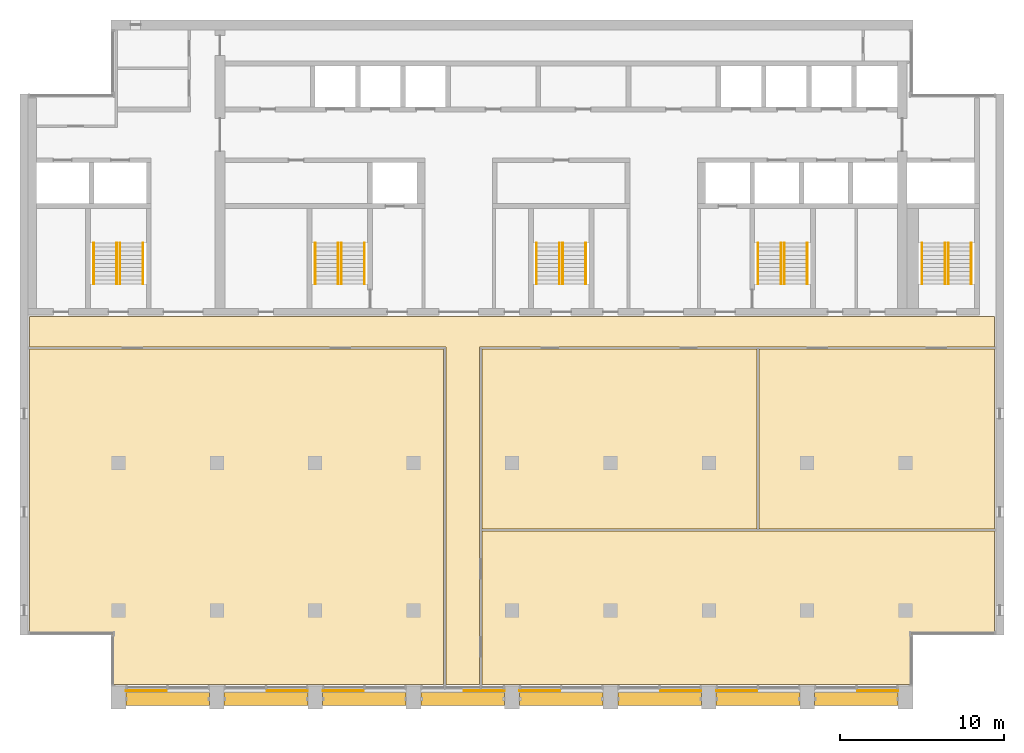
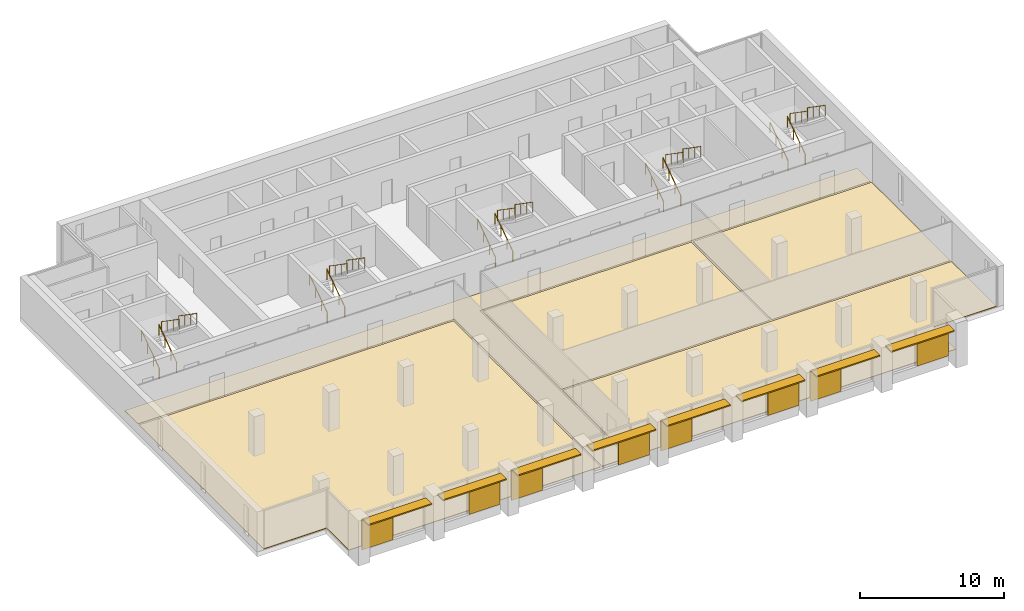
# One storey, part 14 of 14: 20 railings, 16 shading devices, 5 coverings, 5 elements without a shape of their own.
"""IFC4 building model written with IfcOpenShell, lengths in metres."""

from ifc_helpers import new_model, si_unit, direction, frame, origin, origin_2d, place, context, subcontext, project, spatial, polyline, rectangle, circle, outline, extrude, material, layer, layer_set, material_profile, profile_set, type_object, element, aggregate, save


model = new_model("IFC4")

# Units and contexts
model_context = context("Model", 3, precision=1e-05, world=origin(), true_north=direction((0.0, 1.0)))
body_context = subcontext(model_context, "Body", "Model", "MODEL_VIEW")
ifc_project = project(units=[si_unit("LENGTHUNIT", "METRE"), si_unit("AREAUNIT", "SQUARE_METRE"), si_unit("VOLUMEUNIT", "CUBIC_METRE"), si_unit("PLANEANGLEUNIT", "RADIAN"), si_unit("MASSUNIT", "GRAM", prefix="KILO")], contexts=[model_context])

# Site, building, storey
site_placement = place(None, origin())
site = spatial("IfcSite", under=ifc_project, at=site_placement, CompositionType="ELEMENT")
building_placement = place(site_placement, origin())
building = spatial("IfcBuilding", under=site, at=building_placement, Name="Calvaro Tower", CompositionType="ELEMENT")
storey_placement = place(building_placement, frame((0.0, 0.0, 246.949951171875)))
storey = spatial("IfcBuildingStorey", under=building, at=storey_placement, Name="L62", CompositionType="ELEMENT", Elevation=246.949951171875)

# Shading devices
ifc_material_1 = material(Name="Anodised aluminium", Category="aluminium")
ifc_material_profile = material_profile(ifc_material_1, rectangle(XDim=0.800048828125, YDim=0.10009765625, at=origin_2d()), Name="Brise-soleil blade 800 x 100")
ifc_profile_set = profile_set([ifc_material_profile], Name="Anodised aluminium")
shading_device_type_1 = type_object("IfcShadingDeviceType", Name="Brise-soleil blade 800 x 100", PredefinedType="JALOUSIE", material=ifc_profile_set)
for number, where, z_axis, x_axis, name in (
    (1, (12.449951171875, 4.60009765625, 2.650146484375), (1.0, 0.0, 0.0), (0.0, 1.0, 0.0), "Brise-soleil blade 1"),
    (2, (18.449951171875, 4.60009765625, 2.650146484375), (1.0, 0.0, 0.0), (0.0, 1.0, 0.0), "Brise-soleil blade 2"),
    (3, (24.449951171875, 4.60009765625, 2.650146484375), (1.0, 0.0, 0.0), (0.0, 1.0, 0.0), "Brise-soleil blade 3"),
    (4, (30.449951171875, 4.60009765625, 2.650146484375), (1.0, 0.0, 0.0), (0.0, 1.0, 0.0), "Brise-soleil blade 4"),
    (5, (36.449951171875, 4.60009765625, 2.650146484375), (1.0, 0.0, 0.0), (0.0, 1.0, 0.0), "Brise-soleil blade 5"),
    (6, (42.449951171875, 4.60009765625, 2.650146484375), (1.0, 0.0, 0.0), (0.0, 1.0, 0.0), "Brise-soleil blade 6"),
    (7, (48.449951171875, 4.60009765625, 2.650146484375), (1.0, 0.0, 0.0), (0.0, 1.0, 0.0), "Brise-soleil blade 7"),
    (8, (54.449951171875, 4.60009765625, 2.650146484375), (1.0, 0.0, 0.0), (0.0, 1.0, 0.0), "Brise-soleil blade 8"),
):
    element("IfcShadingDevice", number, at=place(storey_placement, frame(where, z_axis=z_axis, x_axis=x_axis)), inside=storey, type_object=shading_device_type_1, Name=name, PredefinedType="JALOUSIE", context=body_context, shape_type="SweptSolid", body=[
        extrude(rectangle(XDim=0.800048828125, YDim=0.10009765625, at=origin_2d()), origin(), (0.0, 0.0, 1.0), 5.10009765625),
    ])

# Coverings
ifc_material_2 = material(Name="Cement screed with carpet tile finish")
ifc_layer_1 = layer(ifc_material_2, 0.050048828125)
ifc_layer_set_1 = layer_set([ifc_layer_1], Name="Cement screed with carpet tile finish")
covering_type = type_object("IfcCoveringType", Name="Floor finish 50", PredefinedType="FLOORING", material=ifc_layer_set_1)
covering_1_placement = place(storey_placement, origin())
element("IfcCovering", 9, at=covering_1_placement, inside=storey, type_object=covering_type, Name="Floor finish 35.01", PredefinedType="FLOORING", context=body_context, shape_type="SweptSolid", body=[
    extrude(outline(polyline([(31.969970703125, 5.469970703125), (31.969970703125, 26.070068359375), (6.570068359375, 26.070068359375), (6.570068359375, 27.929931640625), (65.429931640625, 27.929931640625), (65.429931640625, 26.070068359375), (34.030029296875, 26.070068359375), (34.030029296875, 5.469970703125), (31.969970703125, 5.469970703125)])), origin(), (0.0, 0.0, 1.0), 0.050048828125),
])
covering_2_placement = place(storey_placement, origin())
element("IfcCovering", 10, at=covering_2_placement, inside=storey, type_object=covering_type, Name="Floor finish 35.03", PredefinedType="FLOORING", context=body_context, shape_type="SweptSolid", body=[
    extrude(outline(polyline([(31.830078125, 25.929931640625), (31.830078125, 5.469970703125), (11.6201171875, 5.469970703125), (11.6201171875, 8.570068359375), (6.570068359375, 8.570068359375), (6.570068359375, 25.929931640625), (31.830078125, 25.929931640625)])), origin(), (0.0, 0.0, 1.0), 0.050048828125),
])
covering_3_placement = place(storey_placement, origin())
element("IfcCovering", 11, at=covering_3_placement, inside=storey, type_object=covering_type, Name="Floor finish 35.02", PredefinedType="FLOORING", context=body_context, shape_type="SweptSolid", body=[
    extrude(outline(polyline([(65.429931640625, 8.570068359375), (60.3798828125, 8.570068359375), (60.3798828125, 5.469970703125), (34.169921875, 5.469970703125), (34.169921875, 14.830078125), (65.429931640625, 14.830078125), (65.429931640625, 8.570068359375)])), origin(), (0.0, 0.0, 1.0), 0.050048828125),
])
covering_4_placement = place(storey_placement, origin())
element("IfcCovering", 12, at=covering_4_placement, inside=storey, type_object=covering_type, Name="Floor finish 35.05", PredefinedType="FLOORING", context=body_context, shape_type="SweptSolid", body=[
    extrude(outline(polyline([(34.169921875, 14.969970703125), (34.169921875, 25.929931640625), (50.929931640625, 25.929931640625), (50.929931640625, 14.969970703125), (34.169921875, 14.969970703125)])), origin(), (0.0, 0.0, 1.0), 0.050048828125),
])
covering_5_placement = place(storey_placement, origin())
element("IfcCovering", 13, at=covering_5_placement, inside=storey, type_object=covering_type, Name="Floor finish 35.04", PredefinedType="FLOORING", context=body_context, shape_type="SweptSolid", body=[
    extrude(outline(polyline([(65.429931640625, 14.969970703125), (51.070068359375, 14.969970703125), (51.070068359375, 25.929931640625), (65.429931640625, 25.929931640625), (65.429931640625, 14.969970703125)])), origin(), (0.0, 0.0, 1.0), 0.050048828125),
])

# Shading devices
ifc_material_3 = material(Name="Ceramic")
ifc_layer_2 = layer(ifc_material_3, 0.0400390625)
ifc_layer_set_2 = layer_set([ifc_layer_2], Name="Ceramic")
shading_device_type_2 = type_object("IfcShadingDeviceType", Name="Sliding ceramic screen 2500", PredefinedType="SHUTTER", material=ifc_layer_set_2)
for number, where, z_axis, x_axis, name in (
    (14, (13.699951171875, 5.10009765625, 0.0), (0.0, 0.0, 1.0), (1.0, 0.0, 0.0), "Sliding screen 1"),
    (15, (22.300048828125, 5.10009765625, 0.0), (0.0, 0.0, 1.0), (1.0, 0.0, 0.0), "Sliding screen 2"),
    (16, (25.699951171875, 5.10009765625, 0.0), (0.0, 0.0, 1.0), (1.0, 0.0, 0.0), "Sliding screen 3"),
    (17, (34.300048828125, 5.10009765625, 0.0), (0.0, 0.0, 1.0), (1.0, 0.0, 0.0), "Sliding screen 4"),
    (18, (37.699951171875, 5.10009765625, 0.0), (0.0, 0.0, 1.0), (1.0, 0.0, 0.0), "Sliding screen 5"),
    (19, (46.300048828125, 5.10009765625, 0.0), (0.0, 0.0, 1.0), (1.0, 0.0, 0.0), "Sliding screen 6"),
    (20, (49.699951171875, 5.10009765625, 0.0), (0.0, 0.0, 1.0), (1.0, 0.0, 0.0), "Sliding screen 7"),
    (21, (58.300048828125, 5.10009765625, 0.0), (0.0, 0.0, 1.0), (1.0, 0.0, 0.0), "Sliding screen 8"),
):
    element("IfcShadingDevice", number, at=place(storey_placement, frame(where, z_axis=z_axis, x_axis=x_axis)), inside=storey, type_object=shading_device_type_2, Name=name, PredefinedType="SHUTTER", context=body_context, shape_type="SweptSolid", body=[
        extrude(rectangle(XDim=2.5, YDim=0.0400390625, at=origin_2d()), origin(), (0.0, 0.0, 1.0), 2.60009765625),
    ])

# Stair, railings
ifc_material_4 = material(Name="Concrete C40/50", Category="concrete")
stair_type = type_object("IfcStairType", Name="Exit stair 1400 2 flights", PredefinedType="HALF_TURN_STAIR", material=ifc_material_4)
stair_1_placement = place(storey_placement, origin())
stair_1 = element("IfcStair", 22, at=stair_1_placement, inside=storey, type_object=stair_type, Name="Exit stair S1", PredefinedType="HALF_TURN_STAIR")
ifc_material_5 = material(Name="Stainless steel", Category="steel")
railing_type = type_object("IfcRailingType", Name="Stair handrail", PredefinedType="HANDRAIL", material=ifc_material_5)
railing_1_placement = place(storey_placement, frame((11.89990234375, 29.89990234375, 0.1728515625)))
railing_1 = element("IfcRailing", 23, at=railing_1_placement, type_object=railing_type, Name="Exit stair 1 handrail", PredefinedType="HANDRAIL", context=body_context, shape_type="SweptSolid", body=[
    extrude(circle(Radius=0.02392578125, at=origin_2d()), frame((0.0, 0.0, 0.8759765625), z_axis=(0.0, 0.822726922227, 0.568436813941), x_axis=(-1.0, 0.0, 0.0)), (0.0, 0.0, 1.0), 3.03857421875),
    extrude(circle(Radius=0.02099609375, at=origin_2d()), frame((0.0, 0.017333984375, 0.011962890625)), (0.0, 0.0, 1.0), 0.851806640625),
    extrude(circle(Radius=0.02099609375, at=origin_2d()), frame((0.0, 0.833251953125, 0.57568359375)), (0.0, 0.0, 1.0), 0.851806640625),
    extrude(circle(Radius=0.02099609375, at=origin_2d()), frame((0.0, 1.666748046875, 1.151611328125)), (0.0, 0.0, 1.0), 0.851806640625),
    extrude(circle(Radius=0.02099609375, at=origin_2d()), frame((0.0, 2.482666015625, 1.71533203125)), (0.0, 0.0, 1.0), 0.851806640625),
])
railing_2_placement = place(storey_placement, frame((10.5, 29.89990234375, 0.1728515625)))
railing_2 = element("IfcRailing", 24, at=railing_2_placement, type_object=railing_type, Name="Exit stair 1 handrail", PredefinedType="HANDRAIL", context=body_context, shape_type="SweptSolid", body=[
    extrude(circle(Radius=0.02392578125, at=origin_2d()), frame((0.0, 0.0, 0.8759765625), z_axis=(0.0, 0.822726922227, 0.568436813941), x_axis=(-1.0, 0.0, 0.0)), (0.0, 0.0, 1.0), 3.03857421875),
    extrude(circle(Radius=0.02099609375, at=origin_2d()), frame((0.0, 0.017333984375, 0.011962890625)), (0.0, 0.0, 1.0), 0.851806640625),
    extrude(circle(Radius=0.02099609375, at=origin_2d()), frame((0.0, 0.833251953125, 0.57568359375)), (0.0, 0.0, 1.0), 0.851806640625),
    extrude(circle(Radius=0.02099609375, at=origin_2d()), frame((0.0, 1.666748046875, 1.151611328125)), (0.0, 0.0, 1.0), 0.851806640625),
    extrude(circle(Radius=0.02099609375, at=origin_2d()), frame((0.0, 2.482666015625, 1.71533203125)), (0.0, 0.0, 1.0), 0.851806640625),
])
railing_3_placement = place(storey_placement, frame((12.10009765625, 32.39990234375, 2.07275390625)))
railing_3 = element("IfcRailing", 25, at=railing_3_placement, type_object=railing_type, Name="Exit stair 1 handrail", PredefinedType="HANDRAIL", context=body_context, shape_type="SweptSolid", body=[
    extrude(circle(Radius=0.02392578125, at=origin_2d()), frame((0.0, 0.0, 0.8759765625), z_axis=(0.0, -0.822726922227, 0.568436813941), x_axis=(1.0, 0.0, 0.0)), (0.0, 0.0, 1.0), 3.03857421875),
    extrude(circle(Radius=0.02099609375, at=origin_2d()), frame((0.0, -0.017333984375, 0.011962890625)), (0.0, 0.0, 1.0), 0.851806640625),
    extrude(circle(Radius=0.02099609375, at=origin_2d()), frame((0.0, -0.833251953125, 0.57568359375)), (0.0, 0.0, 1.0), 0.851806640625),
    extrude(circle(Radius=0.02099609375, at=origin_2d()), frame((0.0, -1.666748046875, 1.151611328125)), (0.0, 0.0, 1.0), 0.851806640625),
    extrude(circle(Radius=0.02099609375, at=origin_2d()), frame((0.0, -2.482666015625, 1.71533203125)), (0.0, 0.0, 1.0), 0.851806640625),
])
railing_4_placement = place(storey_placement, frame((13.5, 32.39990234375, 2.07275390625)))
railing_4 = element("IfcRailing", 26, at=railing_4_placement, type_object=railing_type, Name="Exit stair 1 handrail", PredefinedType="HANDRAIL", context=body_context, shape_type="SweptSolid", body=[
    extrude(circle(Radius=0.02392578125, at=origin_2d()), frame((0.0, 0.0, 0.8759765625), z_axis=(0.0, -0.822726922227, 0.568436813941), x_axis=(1.0, 0.0, 0.0)), (0.0, 0.0, 1.0), 3.03857421875),
    extrude(circle(Radius=0.02099609375, at=origin_2d()), frame((0.0, -0.017333984375, 0.011962890625)), (0.0, 0.0, 1.0), 0.851806640625),
    extrude(circle(Radius=0.02099609375, at=origin_2d()), frame((0.0, -0.833251953125, 0.57568359375)), (0.0, 0.0, 1.0), 0.851806640625),
    extrude(circle(Radius=0.02099609375, at=origin_2d()), frame((0.0, -1.666748046875, 1.151611328125)), (0.0, 0.0, 1.0), 0.851806640625),
    extrude(circle(Radius=0.02099609375, at=origin_2d()), frame((0.0, -2.482666015625, 1.71533203125)), (0.0, 0.0, 1.0), 0.851806640625),
])
aggregate(stair_1, [railing_1, railing_2, railing_3, railing_4])

stair_2_placement = place(storey_placement, origin())
stair_2 = element("IfcStair", 27, at=stair_2_placement, inside=storey, type_object=stair_type, Name="Exit stair S2", PredefinedType="HALF_TURN_STAIR")
railing_5_placement = place(storey_placement, frame((25.39990234375, 29.89990234375, 0.1728515625)))
railing_5 = element("IfcRailing", 28, at=railing_5_placement, type_object=railing_type, Name="Exit stair 2 handrail", PredefinedType="HANDRAIL", context=body_context, shape_type="SweptSolid", body=[
    extrude(circle(Radius=0.02392578125, at=origin_2d()), frame((0.0, 0.0, 0.8759765625), z_axis=(0.0, 0.822726922227, 0.568436813941), x_axis=(-1.0, 0.0, 0.0)), (0.0, 0.0, 1.0), 3.03857421875),
    extrude(circle(Radius=0.02099609375, at=origin_2d()), frame((0.0, 0.017333984375, 0.011962890625)), (0.0, 0.0, 1.0), 0.851806640625),
    extrude(circle(Radius=0.02099609375, at=origin_2d()), frame((0.0, 0.833251953125, 0.57568359375)), (0.0, 0.0, 1.0), 0.851806640625),
    extrude(circle(Radius=0.02099609375, at=origin_2d()), frame((0.0, 1.666748046875, 1.151611328125)), (0.0, 0.0, 1.0), 0.851806640625),
    extrude(circle(Radius=0.02099609375, at=origin_2d()), frame((0.0, 2.482666015625, 1.71533203125)), (0.0, 0.0, 1.0), 0.851806640625),
])
railing_6_placement = place(storey_placement, frame((24.0, 29.89990234375, 0.1728515625)))
railing_6 = element("IfcRailing", 29, at=railing_6_placement, type_object=railing_type, Name="Exit stair 2 handrail", PredefinedType="HANDRAIL", context=body_context, shape_type="SweptSolid", body=[
    extrude(circle(Radius=0.02392578125, at=origin_2d()), frame((0.0, 0.0, 0.8759765625), z_axis=(0.0, 0.822726922227, 0.568436813941), x_axis=(-1.0, 0.0, 0.0)), (0.0, 0.0, 1.0), 3.03857421875),
    extrude(circle(Radius=0.02099609375, at=origin_2d()), frame((0.0, 0.017333984375, 0.011962890625)), (0.0, 0.0, 1.0), 0.851806640625),
    extrude(circle(Radius=0.02099609375, at=origin_2d()), frame((0.0, 0.833251953125, 0.57568359375)), (0.0, 0.0, 1.0), 0.851806640625),
    extrude(circle(Radius=0.02099609375, at=origin_2d()), frame((0.0, 1.666748046875, 1.151611328125)), (0.0, 0.0, 1.0), 0.851806640625),
    extrude(circle(Radius=0.02099609375, at=origin_2d()), frame((0.0, 2.482666015625, 1.71533203125)), (0.0, 0.0, 1.0), 0.851806640625),
])
railing_7_placement = place(storey_placement, frame((25.60009765625, 32.39990234375, 2.07275390625)))
railing_7 = element("IfcRailing", 30, at=railing_7_placement, type_object=railing_type, Name="Exit stair 2 handrail", PredefinedType="HANDRAIL", context=body_context, shape_type="SweptSolid", body=[
    extrude(circle(Radius=0.02392578125, at=origin_2d()), frame((0.0, 0.0, 0.8759765625), z_axis=(0.0, -0.822726922227, 0.568436813941), x_axis=(1.0, 0.0, 0.0)), (0.0, 0.0, 1.0), 3.03857421875),
    extrude(circle(Radius=0.02099609375, at=origin_2d()), frame((0.0, -0.017333984375, 0.011962890625)), (0.0, 0.0, 1.0), 0.851806640625),
    extrude(circle(Radius=0.02099609375, at=origin_2d()), frame((0.0, -0.833251953125, 0.57568359375)), (0.0, 0.0, 1.0), 0.851806640625),
    extrude(circle(Radius=0.02099609375, at=origin_2d()), frame((0.0, -1.666748046875, 1.151611328125)), (0.0, 0.0, 1.0), 0.851806640625),
    extrude(circle(Radius=0.02099609375, at=origin_2d()), frame((0.0, -2.482666015625, 1.71533203125)), (0.0, 0.0, 1.0), 0.851806640625),
])
railing_8_placement = place(storey_placement, frame((27.0, 32.39990234375, 2.07275390625)))
railing_8 = element("IfcRailing", 31, at=railing_8_placement, type_object=railing_type, Name="Exit stair 2 handrail", PredefinedType="HANDRAIL", context=body_context, shape_type="SweptSolid", body=[
    extrude(circle(Radius=0.02392578125, at=origin_2d()), frame((0.0, 0.0, 0.8759765625), z_axis=(0.0, -0.822726922227, 0.568436813941), x_axis=(1.0, 0.0, 0.0)), (0.0, 0.0, 1.0), 3.03857421875),
    extrude(circle(Radius=0.02099609375, at=origin_2d()), frame((0.0, -0.017333984375, 0.011962890625)), (0.0, 0.0, 1.0), 0.851806640625),
    extrude(circle(Radius=0.02099609375, at=origin_2d()), frame((0.0, -0.833251953125, 0.57568359375)), (0.0, 0.0, 1.0), 0.851806640625),
    extrude(circle(Radius=0.02099609375, at=origin_2d()), frame((0.0, -1.666748046875, 1.151611328125)), (0.0, 0.0, 1.0), 0.851806640625),
    extrude(circle(Radius=0.02099609375, at=origin_2d()), frame((0.0, -2.482666015625, 1.71533203125)), (0.0, 0.0, 1.0), 0.851806640625),
])
aggregate(stair_2, [railing_5, railing_6, railing_7, railing_8])

stair_3_placement = place(storey_placement, origin())
stair_3 = element("IfcStair", 32, at=stair_3_placement, inside=storey, type_object=stair_type, Name="Exit stair S3", PredefinedType="HALF_TURN_STAIR")
railing_9_placement = place(storey_placement, frame((38.89990234375, 29.89990234375, 0.1728515625)))
railing_9 = element("IfcRailing", 33, at=railing_9_placement, type_object=railing_type, Name="Exit stair 3 handrail", PredefinedType="HANDRAIL", context=body_context, shape_type="SweptSolid", body=[
    extrude(circle(Radius=0.02392578125, at=origin_2d()), frame((0.0, 0.0, 0.8759765625), z_axis=(0.0, 0.822726922227, 0.568436813941), x_axis=(-1.0, 0.0, 0.0)), (0.0, 0.0, 1.0), 3.03857421875),
    extrude(circle(Radius=0.02099609375, at=origin_2d()), frame((0.0, 0.017333984375, 0.011962890625)), (0.0, 0.0, 1.0), 0.851806640625),
    extrude(circle(Radius=0.02099609375, at=origin_2d()), frame((0.0, 0.833251953125, 0.57568359375)), (0.0, 0.0, 1.0), 0.851806640625),
    extrude(circle(Radius=0.02099609375, at=origin_2d()), frame((0.0, 1.666748046875, 1.151611328125)), (0.0, 0.0, 1.0), 0.851806640625),
    extrude(circle(Radius=0.02099609375, at=origin_2d()), frame((0.0, 2.482666015625, 1.71533203125)), (0.0, 0.0, 1.0), 0.851806640625),
])
railing_10_placement = place(storey_placement, frame((37.5, 29.89990234375, 0.1728515625)))
railing_10 = element("IfcRailing", 34, at=railing_10_placement, type_object=railing_type, Name="Exit stair 3 handrail", PredefinedType="HANDRAIL", context=body_context, shape_type="SweptSolid", body=[
    extrude(circle(Radius=0.02392578125, at=origin_2d()), frame((0.0, 0.0, 0.8759765625), z_axis=(0.0, 0.822726922227, 0.568436813941), x_axis=(-1.0, 0.0, 0.0)), (0.0, 0.0, 1.0), 3.03857421875),
    extrude(circle(Radius=0.02099609375, at=origin_2d()), frame((0.0, 0.017333984375, 0.011962890625)), (0.0, 0.0, 1.0), 0.851806640625),
    extrude(circle(Radius=0.02099609375, at=origin_2d()), frame((0.0, 0.833251953125, 0.57568359375)), (0.0, 0.0, 1.0), 0.851806640625),
    extrude(circle(Radius=0.02099609375, at=origin_2d()), frame((0.0, 1.666748046875, 1.151611328125)), (0.0, 0.0, 1.0), 0.851806640625),
    extrude(circle(Radius=0.02099609375, at=origin_2d()), frame((0.0, 2.482666015625, 1.71533203125)), (0.0, 0.0, 1.0), 0.851806640625),
])
railing_11_placement = place(storey_placement, frame((39.10009765625, 32.39990234375, 2.07275390625)))
railing_11 = element("IfcRailing", 35, at=railing_11_placement, type_object=railing_type, Name="Exit stair 3 handrail", PredefinedType="HANDRAIL", context=body_context, shape_type="SweptSolid", body=[
    extrude(circle(Radius=0.02392578125, at=origin_2d()), frame((0.0, 0.0, 0.8759765625), z_axis=(0.0, -0.822726922227, 0.568436813941), x_axis=(1.0, 0.0, 0.0)), (0.0, 0.0, 1.0), 3.03857421875),
    extrude(circle(Radius=0.02099609375, at=origin_2d()), frame((0.0, -0.017333984375, 0.011962890625)), (0.0, 0.0, 1.0), 0.851806640625),
    extrude(circle(Radius=0.02099609375, at=origin_2d()), frame((0.0, -0.833251953125, 0.57568359375)), (0.0, 0.0, 1.0), 0.851806640625),
    extrude(circle(Radius=0.02099609375, at=origin_2d()), frame((0.0, -1.666748046875, 1.151611328125)), (0.0, 0.0, 1.0), 0.851806640625),
    extrude(circle(Radius=0.02099609375, at=origin_2d()), frame((0.0, -2.482666015625, 1.71533203125)), (0.0, 0.0, 1.0), 0.851806640625),
])
railing_12_placement = place(storey_placement, frame((40.5, 32.39990234375, 2.07275390625)))
railing_12 = element("IfcRailing", 36, at=railing_12_placement, type_object=railing_type, Name="Exit stair 3 handrail", PredefinedType="HANDRAIL", context=body_context, shape_type="SweptSolid", body=[
    extrude(circle(Radius=0.02392578125, at=origin_2d()), frame((0.0, 0.0, 0.8759765625), z_axis=(0.0, -0.822726922227, 0.568436813941), x_axis=(1.0, 0.0, 0.0)), (0.0, 0.0, 1.0), 3.03857421875),
    extrude(circle(Radius=0.02099609375, at=origin_2d()), frame((0.0, -0.017333984375, 0.011962890625)), (0.0, 0.0, 1.0), 0.851806640625),
    extrude(circle(Radius=0.02099609375, at=origin_2d()), frame((0.0, -0.833251953125, 0.57568359375)), (0.0, 0.0, 1.0), 0.851806640625),
    extrude(circle(Radius=0.02099609375, at=origin_2d()), frame((0.0, -1.666748046875, 1.151611328125)), (0.0, 0.0, 1.0), 0.851806640625),
    extrude(circle(Radius=0.02099609375, at=origin_2d()), frame((0.0, -2.482666015625, 1.71533203125)), (0.0, 0.0, 1.0), 0.851806640625),
])
aggregate(stair_3, [railing_9, railing_10, railing_11, railing_12])

stair_4_placement = place(storey_placement, origin())
stair_4 = element("IfcStair", 37, at=stair_4_placement, inside=storey, type_object=stair_type, Name="Exit stair S4", PredefinedType="HALF_TURN_STAIR")
railing_13_placement = place(storey_placement, frame((52.39990234375, 29.89990234375, 0.1728515625)))
railing_13 = element("IfcRailing", 38, at=railing_13_placement, type_object=railing_type, Name="Exit stair 4 handrail", PredefinedType="HANDRAIL", context=body_context, shape_type="SweptSolid", body=[
    extrude(circle(Radius=0.02392578125, at=origin_2d()), frame((0.0, 0.0, 0.8759765625), z_axis=(0.0, 0.822726922227, 0.568436813941), x_axis=(-1.0, 0.0, 0.0)), (0.0, 0.0, 1.0), 3.03857421875),
    extrude(circle(Radius=0.02099609375, at=origin_2d()), frame((0.0, 0.017333984375, 0.011962890625)), (0.0, 0.0, 1.0), 0.851806640625),
    extrude(circle(Radius=0.02099609375, at=origin_2d()), frame((0.0, 0.833251953125, 0.57568359375)), (0.0, 0.0, 1.0), 0.851806640625),
    extrude(circle(Radius=0.02099609375, at=origin_2d()), frame((0.0, 1.666748046875, 1.151611328125)), (0.0, 0.0, 1.0), 0.851806640625),
    extrude(circle(Radius=0.02099609375, at=origin_2d()), frame((0.0, 2.482666015625, 1.71533203125)), (0.0, 0.0, 1.0), 0.851806640625),
])
railing_14_placement = place(storey_placement, frame((51.0, 29.89990234375, 0.1728515625)))
railing_14 = element("IfcRailing", 39, at=railing_14_placement, type_object=railing_type, Name="Exit stair 4 handrail", PredefinedType="HANDRAIL", context=body_context, shape_type="SweptSolid", body=[
    extrude(circle(Radius=0.02392578125, at=origin_2d()), frame((0.0, 0.0, 0.8759765625), z_axis=(0.0, 0.822726922227, 0.568436813941), x_axis=(-1.0, 0.0, 0.0)), (0.0, 0.0, 1.0), 3.03857421875),
    extrude(circle(Radius=0.02099609375, at=origin_2d()), frame((0.0, 0.017333984375, 0.011962890625)), (0.0, 0.0, 1.0), 0.851806640625),
    extrude(circle(Radius=0.02099609375, at=origin_2d()), frame((0.0, 0.833251953125, 0.57568359375)), (0.0, 0.0, 1.0), 0.851806640625),
    extrude(circle(Radius=0.02099609375, at=origin_2d()), frame((0.0, 1.666748046875, 1.151611328125)), (0.0, 0.0, 1.0), 0.851806640625),
    extrude(circle(Radius=0.02099609375, at=origin_2d()), frame((0.0, 2.482666015625, 1.71533203125)), (0.0, 0.0, 1.0), 0.851806640625),
])
railing_15_placement = place(storey_placement, frame((52.60009765625, 32.39990234375, 2.07275390625)))
railing_15 = element("IfcRailing", 40, at=railing_15_placement, type_object=railing_type, Name="Exit stair 4 handrail", PredefinedType="HANDRAIL", context=body_context, shape_type="SweptSolid", body=[
    extrude(circle(Radius=0.02392578125, at=origin_2d()), frame((0.0, 0.0, 0.8759765625), z_axis=(0.0, -0.822726922227, 0.568436813941), x_axis=(1.0, 0.0, 0.0)), (0.0, 0.0, 1.0), 3.03857421875),
    extrude(circle(Radius=0.02099609375, at=origin_2d()), frame((0.0, -0.017333984375, 0.011962890625)), (0.0, 0.0, 1.0), 0.851806640625),
    extrude(circle(Radius=0.02099609375, at=origin_2d()), frame((0.0, -0.833251953125, 0.57568359375)), (0.0, 0.0, 1.0), 0.851806640625),
    extrude(circle(Radius=0.02099609375, at=origin_2d()), frame((0.0, -1.666748046875, 1.151611328125)), (0.0, 0.0, 1.0), 0.851806640625),
    extrude(circle(Radius=0.02099609375, at=origin_2d()), frame((0.0, -2.482666015625, 1.71533203125)), (0.0, 0.0, 1.0), 0.851806640625),
])
railing_16_placement = place(storey_placement, frame((54.0, 32.39990234375, 2.07275390625)))
railing_16 = element("IfcRailing", 41, at=railing_16_placement, type_object=railing_type, Name="Exit stair 4 handrail", PredefinedType="HANDRAIL", context=body_context, shape_type="SweptSolid", body=[
    extrude(circle(Radius=0.02392578125, at=origin_2d()), frame((0.0, 0.0, 0.8759765625), z_axis=(0.0, -0.822726922227, 0.568436813941), x_axis=(1.0, 0.0, 0.0)), (0.0, 0.0, 1.0), 3.03857421875),
    extrude(circle(Radius=0.02099609375, at=origin_2d()), frame((0.0, -0.017333984375, 0.011962890625)), (0.0, 0.0, 1.0), 0.851806640625),
    extrude(circle(Radius=0.02099609375, at=origin_2d()), frame((0.0, -0.833251953125, 0.57568359375)), (0.0, 0.0, 1.0), 0.851806640625),
    extrude(circle(Radius=0.02099609375, at=origin_2d()), frame((0.0, -1.666748046875, 1.151611328125)), (0.0, 0.0, 1.0), 0.851806640625),
    extrude(circle(Radius=0.02099609375, at=origin_2d()), frame((0.0, -2.482666015625, 1.71533203125)), (0.0, 0.0, 1.0), 0.851806640625),
])
aggregate(stair_4, [railing_13, railing_14, railing_15, railing_16])

stair_5_placement = place(storey_placement, origin())
stair_5 = element("IfcStair", 42, at=stair_5_placement, inside=storey, type_object=stair_type, Name="Exit stair S5", PredefinedType="HALF_TURN_STAIR")
railing_17_placement = place(storey_placement, frame((62.39990234375, 29.89990234375, 0.1728515625)))
railing_17 = element("IfcRailing", 43, at=railing_17_placement, type_object=railing_type, Name="Exit stair 5 handrail", PredefinedType="HANDRAIL", context=body_context, shape_type="SweptSolid", body=[
    extrude(circle(Radius=0.02392578125, at=origin_2d()), frame((0.0, 0.0, 0.8759765625), z_axis=(0.0, 0.822726922227, 0.568436813941), x_axis=(-1.0, 0.0, 0.0)), (0.0, 0.0, 1.0), 3.03857421875),
    extrude(circle(Radius=0.02099609375, at=origin_2d()), frame((0.0, 0.017333984375, 0.011962890625)), (0.0, 0.0, 1.0), 0.851806640625),
    extrude(circle(Radius=0.02099609375, at=origin_2d()), frame((0.0, 0.833251953125, 0.57568359375)), (0.0, 0.0, 1.0), 0.851806640625),
    extrude(circle(Radius=0.02099609375, at=origin_2d()), frame((0.0, 1.666748046875, 1.151611328125)), (0.0, 0.0, 1.0), 0.851806640625),
    extrude(circle(Radius=0.02099609375, at=origin_2d()), frame((0.0, 2.482666015625, 1.71533203125)), (0.0, 0.0, 1.0), 0.851806640625),
])
railing_18_placement = place(storey_placement, frame((61.0, 29.89990234375, 0.1728515625)))
railing_18 = element("IfcRailing", 44, at=railing_18_placement, type_object=railing_type, Name="Exit stair 5 handrail", PredefinedType="HANDRAIL", context=body_context, shape_type="SweptSolid", body=[
    extrude(circle(Radius=0.02392578125, at=origin_2d()), frame((0.0, 0.0, 0.8759765625), z_axis=(0.0, 0.822726922227, 0.568436813941), x_axis=(-1.0, 0.0, 0.0)), (0.0, 0.0, 1.0), 3.03857421875),
    extrude(circle(Radius=0.02099609375, at=origin_2d()), frame((0.0, 0.017333984375, 0.011962890625)), (0.0, 0.0, 1.0), 0.851806640625),
    extrude(circle(Radius=0.02099609375, at=origin_2d()), frame((0.0, 0.833251953125, 0.57568359375)), (0.0, 0.0, 1.0), 0.851806640625),
    extrude(circle(Radius=0.02099609375, at=origin_2d()), frame((0.0, 1.666748046875, 1.151611328125)), (0.0, 0.0, 1.0), 0.851806640625),
    extrude(circle(Radius=0.02099609375, at=origin_2d()), frame((0.0, 2.482666015625, 1.71533203125)), (0.0, 0.0, 1.0), 0.851806640625),
])
railing_19_placement = place(storey_placement, frame((62.60009765625, 32.39990234375, 2.07275390625)))
railing_19 = element("IfcRailing", 45, at=railing_19_placement, type_object=railing_type, Name="Exit stair 5 handrail", PredefinedType="HANDRAIL", context=body_context, shape_type="SweptSolid", body=[
    extrude(circle(Radius=0.02392578125, at=origin_2d()), frame((0.0, 0.0, 0.8759765625), z_axis=(0.0, -0.822726922227, 0.568436813941), x_axis=(1.0, 0.0, 0.0)), (0.0, 0.0, 1.0), 3.03857421875),
    extrude(circle(Radius=0.02099609375, at=origin_2d()), frame((0.0, -0.017333984375, 0.011962890625)), (0.0, 0.0, 1.0), 0.851806640625),
    extrude(circle(Radius=0.02099609375, at=origin_2d()), frame((0.0, -0.833251953125, 0.57568359375)), (0.0, 0.0, 1.0), 0.851806640625),
    extrude(circle(Radius=0.02099609375, at=origin_2d()), frame((0.0, -1.666748046875, 1.151611328125)), (0.0, 0.0, 1.0), 0.851806640625),
    extrude(circle(Radius=0.02099609375, at=origin_2d()), frame((0.0, -2.482666015625, 1.71533203125)), (0.0, 0.0, 1.0), 0.851806640625),
])
railing_20_placement = place(storey_placement, frame((64.0, 32.39990234375, 2.07275390625)))
railing_20 = element("IfcRailing", 46, at=railing_20_placement, type_object=railing_type, Name="Exit stair 5 handrail", PredefinedType="HANDRAIL", context=body_context, shape_type="SweptSolid", body=[
    extrude(circle(Radius=0.02392578125, at=origin_2d()), frame((0.0, 0.0, 0.8759765625), z_axis=(0.0, -0.822726922227, 0.568436813941), x_axis=(1.0, 0.0, 0.0)), (0.0, 0.0, 1.0), 3.03857421875),
    extrude(circle(Radius=0.02099609375, at=origin_2d()), frame((0.0, -0.017333984375, 0.011962890625)), (0.0, 0.0, 1.0), 0.851806640625),
    extrude(circle(Radius=0.02099609375, at=origin_2d()), frame((0.0, -0.833251953125, 0.57568359375)), (0.0, 0.0, 1.0), 0.851806640625),
    extrude(circle(Radius=0.02099609375, at=origin_2d()), frame((0.0, -1.666748046875, 1.151611328125)), (0.0, 0.0, 1.0), 0.851806640625),
    extrude(circle(Radius=0.02099609375, at=origin_2d()), frame((0.0, -2.482666015625, 1.71533203125)), (0.0, 0.0, 1.0), 0.851806640625),
])
aggregate(stair_5, [railing_17, railing_18, railing_19, railing_20])

save(model, "model.ifc")
